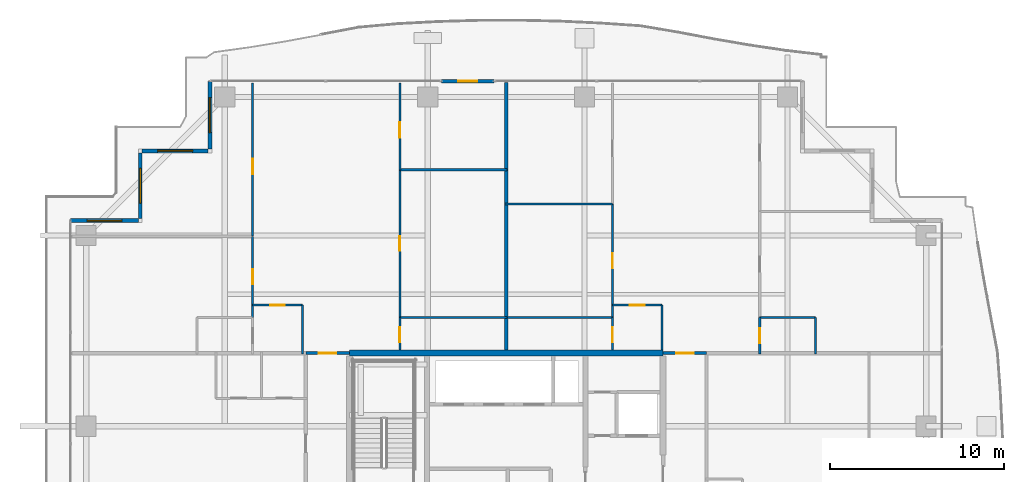
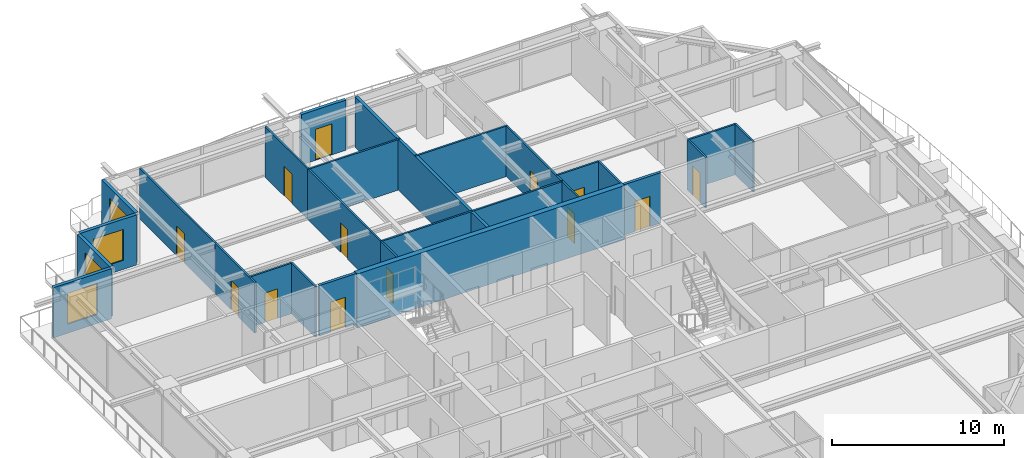
# One storey, part 29 of 37: 27 walls, 13 doors, 4 windows, 17 openings.
"""IFC4 building model written with IfcOpenShell, lengths in metres."""

from ifc_helpers import new_model, si_unit, direction, frame, frame_2d, origin, place, context, subcontext, project, spatial, rectangle, extrude, source, transform, mapped, material, layer, layer_set, type_object, element, fill, save


model = new_model("IFC4")

# Units and contexts
model_context = context("Model", 3, precision=1e-05, world=origin(), true_north=direction((0.0, 1.0)))
body_context = subcontext(model_context, "Body", "Model", "MODEL_VIEW")
ifc_project = project(units=[si_unit("LENGTHUNIT", "METRE"), si_unit("AREAUNIT", "SQUARE_METRE"), si_unit("VOLUMEUNIT", "CUBIC_METRE"), si_unit("PLANEANGLEUNIT", "RADIAN"), si_unit("MASSUNIT", "GRAM", prefix="KILO")], contexts=[model_context])

# Site, building, storey
site_placement = place(None, origin())
site = spatial("IfcSite", under=ifc_project, at=site_placement, CompositionType="ELEMENT")
building_placement = place(site_placement, origin())
building = spatial("IfcBuilding", under=site, at=building_placement, Name="Serunith Strait Residences", CompositionType="ELEMENT")
storey_placement = place(building_placement, frame((0.0, 0.0, 233.550048828125)))
storey = spatial("IfcBuildingStorey", under=building, at=storey_placement, Name="L58", CompositionType="ELEMENT", Elevation=233.550048828125)

# Wall, opening, door
ifc_material_1 = material(Name="Pale-Champagne Aluminium Insulated Panel", Category="aluminium")
ifc_layer_1 = layer(ifc_material_1, 0.219970703125, Name="Pale-Champagne Aluminium Insulated Panel")
ifc_layer_set_1 = layer_set([ifc_layer_1], Name="Pale-Champagne Aluminium Insulated Panel")
wall_type_1 = type_object("IfcWallType", Name="EW-ALUM-220", PredefinedType="ELEMENTEDWALL", material=ifc_layer_set_1)
wall_1_placement = place(storey_placement, frame((31.699951171875, 49.199951171875, 0.0), z_axis=(0.0, 0.0, 1.0), x_axis=(-1.0, 0.0, 0.0)))
wall_1 = element("IfcWall", 1, at=wall_1_placement, inside=storey, type_object=wall_type_1, Name="L58 N Facade Pier Wall", PredefinedType="ELEMENTEDWALL", context=body_context, shape_type="SweptSolid", body=[
    extrude(rectangle(XDim=3.0, YDim=0.219970703125, at=frame_2d((1.5, 0.0))), origin(), (0.0, 0.0, 1.0), 3.574951171875),
])
opening_1_placement = place(wall_1_placement, frame((0.949951171875, 0.0, 0.0)))
opening_1 = element("IfcOpeningElement", 2, at=opening_1_placement, cuts=wall_1, Name="Opening ED-03", PredefinedType="OPENING", context=body_context, shape_type="SweptSolid", body=[
    extrude(rectangle(XDim=1.10009765625, YDim=2.199951171875, at=frame_2d((0.550048828125, 1.10009765625))), frame((0.0, 0.1201171875, 0.0), z_axis=(0.0, -1.0, 0.0), x_axis=(1.0, 0.0, 0.0)), (0.0, 0.0, 1.0), 0.239990234375),
])
ifc_material_2 = material(Name="Thermally-Broken Aluminium Glazed Balcony Door", Category="aluminium")
door_type_1 = type_object("IfcDoorType", Name="ED-BALC-1100", OperationType="NOTDEFINED", PredefinedType="DOOR", material=ifc_material_2)
shared_shape_1 = source(origin(), body_context, "Body", "SweptSolid", [
    extrude(rectangle(XDim=1.10009765625, YDim=2.199951171875, at=frame_2d((0.550048828125, 1.10009765625))), frame((0.0, 0.02490234375, 0.0), z_axis=(0.0, -1.0, 0.0), x_axis=(1.0, 0.0, 0.0)), (0.0, 0.0, 1.0), 0.050048828125),
])
door_1_placement = place(opening_1_placement, origin())
door_1 = element("IfcDoor", 3, at=door_1_placement, inside=storey, type_object=door_type_1, Name="L58 N Vertical-Forest Balcony Door", OperationType="SINGLE_SWING_RIGHT", OverallHeight=2.199951171875, OverallWidth=1.10009765625, PredefinedType="DOOR", context=body_context, shape_type="MappedRepresentation", body=[
    mapped(shared_shape_1, transform((0.0, 0.0, 0.0), scale=1.0)),
])
fill(opening_1, door_1)

# Wall, opening, window
wall_2_placement = place(storey_placement, frame((15.39990234375, 49.199951171875, 0.0), z_axis=(0.0, 0.0, 1.0), x_axis=(0.0, -1.0, 0.0)))
wall_2 = element("IfcWall", 4, at=wall_2_placement, inside=storey, type_object=wall_type_1, Name="L58 Girih Serrated Corner Wall 12", PredefinedType="ELEMENTEDWALL", context=body_context, shape_type="SweptSolid", body=[
    extrude(rectangle(XDim=3.889892578125, YDim=0.219970703125, at=frame_2d((1.94482421875, 0.0))), origin(), (0.0, 0.0, 1.0), 3.574951171875),
])
opening_2_placement = place(wall_2_placement, frame((0.945068359375, 0.0, 0.64990234375)))
opening_2 = element("IfcOpeningElement", 5, at=opening_2_placement, cuts=wall_2, Name="Opening W-04", PredefinedType="OPENING", context=body_context, shape_type="SweptSolid", body=[
    extrude(rectangle(XDim=2.0, YDim=2.199951171875, at=frame_2d((1.0, 1.10009765625))), frame((0.0, 0.1201171875, 0.0), z_axis=(0.0, -1.0, 0.0), x_axis=(1.0, 0.0, 0.0)), (0.0, 0.0, 1.0), 0.239990234375),
])
ifc_material_3 = material(Name="Ceramic-Fritted Operable Aluminium Window Glass", Category="aluminium")
window_type = type_object("IfcWindowType", Name="WIN-C4", PartitioningType="TRIPLE_PANEL_VERTICAL", PredefinedType="WINDOW", material=ifc_material_3)
shared_shape_2 = source(origin(), body_context, "Body", "SweptSolid", [
    extrude(rectangle(XDim=2.0, YDim=2.199951171875, at=frame_2d((1.0, 1.10009765625))), frame((0.0, 0.030029296875, 0.0), z_axis=(0.0, -1.0, 0.0), x_axis=(1.0, 0.0, 0.0)), (0.0, 0.0, 1.0), 0.06005859375),
])
window_1_placement = place(opening_2_placement, origin())
window_1 = element("IfcWindow", 6, at=window_1_placement, inside=storey, type_object=window_type, Name="L58 Corner Operable Fritted Window 12", OverallHeight=2.199951171875, OverallWidth=2.0, PartitioningType="SINGLE_PANEL", PredefinedType="WINDOW", context=body_context, shape_type="MappedRepresentation", body=[
    mapped(shared_shape_2, transform((0.0, 0.0, 0.0), scale=1.0)),
])
fill(opening_2, window_1)

wall_3_placement = place(storey_placement, frame((15.2900390625, 45.199951171875, 0.0), z_axis=(0.0, 0.0, 1.0), x_axis=(-1.0, 0.0, 0.0)))
wall_3 = element("IfcWall", 7, at=wall_3_placement, inside=storey, type_object=wall_type_1, Name="L58 Girih Serrated Corner Wall 13", PredefinedType="ELEMENTEDWALL", context=body_context, shape_type="SweptSolid", body=[
    extrude(rectangle(XDim=3.780029296875, YDim=0.219970703125, at=frame_2d((1.89013671875, 0.0))), origin(), (0.0, 0.0, 1.0), 3.574951171875),
])
opening_3_placement = place(wall_3_placement, frame((0.889892578125, 0.0, 0.64990234375)))
opening_3 = element("IfcOpeningElement", 8, at=opening_3_placement, cuts=wall_3, Name="Opening W-04", PredefinedType="OPENING", context=body_context, shape_type="SweptSolid", body=[
    extrude(rectangle(XDim=2.0, YDim=2.199951171875, at=frame_2d((1.0, 1.10009765625))), frame((0.0, 0.1201171875, 0.0), z_axis=(0.0, -1.0, 0.0), x_axis=(1.0, 0.0, 0.0)), (0.0, 0.0, 1.0), 0.239990234375),
])
window_2_placement = place(opening_3_placement, origin())
window_2 = element("IfcWindow", 9, at=window_2_placement, inside=storey, type_object=window_type, Name="L58 Corner Operable Fritted Window 13", OverallHeight=2.199951171875, OverallWidth=2.0, PartitioningType="SINGLE_PANEL", PredefinedType="WINDOW", context=body_context, shape_type="MappedRepresentation", body=[
    mapped(shared_shape_2, transform((0.0, 0.0, 0.0), scale=1.0)),
])
fill(opening_3, window_2)

wall_4_placement = place(storey_placement, frame((11.39990234375, 45.090087890625, 0.0), z_axis=(0.0, 0.0, 1.0), x_axis=(0.0, -1.0, 0.0)))
wall_4 = element("IfcWall", 10, at=wall_4_placement, inside=storey, type_object=wall_type_1, Name="L58 Girih Serrated Corner Wall 14", PredefinedType="ELEMENTEDWALL", context=body_context, shape_type="SweptSolid", body=[
    extrude(rectangle(XDim=3.780029296875, YDim=0.219970703125, at=frame_2d((1.89013671875, 0.0))), origin(), (0.0, 0.0, 1.0), 3.574951171875),
])
opening_4_placement = place(wall_4_placement, frame((0.889892578125, 0.0, 0.64990234375)))
opening_4 = element("IfcOpeningElement", 11, at=opening_4_placement, cuts=wall_4, Name="Opening W-04", PredefinedType="OPENING", context=body_context, shape_type="SweptSolid", body=[
    extrude(rectangle(XDim=2.0, YDim=2.199951171875, at=frame_2d((1.0, 1.10009765625))), frame((0.0, 0.1201171875, 0.0), z_axis=(0.0, -1.0, 0.0), x_axis=(1.0, 0.0, 0.0)), (0.0, 0.0, 1.0), 0.239990234375),
])
window_3_placement = place(opening_4_placement, origin())
window_3 = element("IfcWindow", 12, at=window_3_placement, inside=storey, type_object=window_type, Name="L58 Corner Operable Fritted Window 14", OverallHeight=2.199951171875, OverallWidth=2.0, PartitioningType="SINGLE_PANEL", PredefinedType="WINDOW", context=body_context, shape_type="MappedRepresentation", body=[
    mapped(shared_shape_2, transform((0.0, 0.0, 0.0), scale=1.0)),
])
fill(opening_4, window_3)

wall_5_placement = place(storey_placement, frame((11.2900390625, 41.199951171875, 0.0), z_axis=(0.0, 0.0, 1.0), x_axis=(-1.0, 0.0, 0.0)))
wall_5 = element("IfcWall", 13, at=wall_5_placement, inside=storey, type_object=wall_type_1, Name="L58 Girih Serrated Corner Wall 15", PredefinedType="ELEMENTEDWALL", context=body_context, shape_type="SweptSolid", body=[
    extrude(rectangle(XDim=3.89013671875, YDim=0.219970703125, at=frame_2d((1.945068359375, 0.0))), origin(), (0.0, 0.0, 1.0), 3.574951171875),
])
opening_5_placement = place(wall_5_placement, frame((0.945068359375, 0.0, 0.64990234375)))
opening_5 = element("IfcOpeningElement", 14, at=opening_5_placement, cuts=wall_5, Name="Opening W-04", PredefinedType="OPENING", context=body_context, shape_type="SweptSolid", body=[
    extrude(rectangle(XDim=2.0, YDim=2.199951171875, at=frame_2d((1.0, 1.10009765625))), frame((0.0, 0.1201171875, 0.0), z_axis=(0.0, -1.0, 0.0), x_axis=(1.0, 0.0, 0.0)), (0.0, 0.0, 1.0), 0.239990234375),
])
window_4_placement = place(opening_5_placement, origin())
window_4 = element("IfcWindow", 15, at=window_4_placement, inside=storey, type_object=window_type, Name="L58 Corner Operable Fritted Window 15", OverallHeight=2.199951171875, OverallWidth=2.0, PartitioningType="SINGLE_PANEL", PredefinedType="WINDOW", context=body_context, shape_type="MappedRepresentation", body=[
    mapped(shared_shape_2, transform((0.0, 0.0, 0.0), scale=1.0)),
])
fill(opening_5, window_4)

# Wall, opening, door
ifc_material_4 = material(Name="Fire-rated acoustic gypsum partition")
ifc_layer_2 = layer(ifc_material_4, 0.179931640625, Name="Fire-rated acoustic gypsum partition")
ifc_layer_set_2 = layer_set([ifc_layer_2], Name="Fire-rated acoustic gypsum partition")
wall_type_2 = type_object("IfcWallType", Name="IW-CORR-180", PredefinedType="PARTITIONING", material=ifc_layer_set_2)
wall_6_placement = place(storey_placement, frame((20.902099609375, 33.60009765625, 0.0), z_axis=(0.0, 0.0, 1.0), x_axis=(1.0, 0.0, 0.0)))
wall_6 = element("IfcWall", 16, at=wall_6_placement, inside=storey, type_object=wall_type_2, Name="L58 Partition Wall 027", PredefinedType="PARTITIONING", context=body_context, shape_type="SweptSolid", body=[
    extrude(rectangle(XDim=2.495849609375, YDim=0.179931640625, at=frame_2d((1.248046875, 0.0))), origin(), (0.0, 0.0, 1.0), 3.58984375),
])
opening_6_placement = place(wall_6_placement, frame((0.748046875, 0.0, 0.0)))
opening_6 = element("IfcOpeningElement", 17, at=opening_6_placement, cuts=wall_6, Name="Opening D-APT1000", PredefinedType="OPENING", context=body_context, shape_type="SweptSolid", body=[
    extrude(rectangle(XDim=1.0, YDim=2.14990234375, at=frame_2d((0.5, 1.074951171875))), frame((0.0, 0.10009765625, 0.0), z_axis=(0.0, -1.0, 0.0), x_axis=(1.0, 0.0, 0.0)), (0.0, 0.0, 1.0), 0.199951171875),
])
ifc_material_5 = material(Name="Solid timber engineered fire door", Category="wood")
door_type_2 = type_object("IfcDoorType", Name="ID-APT-1000", OperationType="NOTDEFINED", PredefinedType="DOOR", material=ifc_material_5)
shared_shape_3 = source(origin(), body_context, "Body", "SweptSolid", [
    extrude(rectangle(XDim=1.0, YDim=2.14990234375, at=frame_2d((0.5, 1.074951171875))), frame((0.0, 0.02490234375, 0.0), z_axis=(0.0, -1.0, 0.0), x_axis=(1.0, 0.0, 0.0)), (0.0, 0.0, 1.0), 0.050048828125),
])
door_2_placement = place(opening_6_placement, origin())
door_2 = element("IfcDoor", 18, at=door_2_placement, inside=storey, type_object=door_type_2, Name="L58 Unit 02 Entrance Door", OperationType="SINGLE_SWING_LEFT", OverallHeight=2.14990234375, OverallWidth=1.0, PredefinedType="DOOR", context=body_context, shape_type="MappedRepresentation", body=[
    mapped(shared_shape_3, transform((0.0, 0.0, 0.0), scale=1.0)),
])
fill(opening_6, door_2)

wall_7_placement = place(storey_placement, frame((41.402099609375, 33.60009765625, 0.0), z_axis=(0.0, 0.0, 1.0), x_axis=(1.0, 0.0, 0.0)))
wall_7 = element("IfcWall", 19, at=wall_7_placement, inside=storey, type_object=wall_type_2, Name="L58 Partition Wall 030", PredefinedType="PARTITIONING", context=body_context, shape_type="SweptSolid", body=[
    extrude(rectangle(XDim=2.495849609375, YDim=0.179931640625, at=frame_2d((1.248046875, 0.0))), origin(), (0.0, 0.0, 1.0), 3.58984375),
])
opening_7_placement = place(wall_7_placement, frame((0.748046875, 0.0, 0.0)))
opening_7 = element("IfcOpeningElement", 20, at=opening_7_placement, cuts=wall_7, Name="Opening D-APT1000", PredefinedType="OPENING", context=body_context, shape_type="SweptSolid", body=[
    extrude(rectangle(XDim=1.0, YDim=2.14990234375, at=frame_2d((0.5, 1.074951171875))), frame((0.0, 0.10009765625, 0.0), z_axis=(0.0, -1.0, 0.0), x_axis=(1.0, 0.0, 0.0)), (0.0, 0.0, 1.0), 0.199951171875),
])
door_3_placement = place(opening_7_placement, origin())
door_3 = element("IfcDoor", 21, at=door_3_placement, inside=storey, type_object=door_type_2, Name="L58 Unit 03 Entrance Door", OperationType="SINGLE_SWING_RIGHT", OverallHeight=2.14990234375, OverallWidth=1.0, PredefinedType="DOOR", context=body_context, shape_type="MappedRepresentation", body=[
    mapped(shared_shape_3, transform((0.0, 0.0, 0.0), scale=1.0)),
])
fill(opening_7, door_3)

ifc_material_6 = material(Name="Lightweight steel-stud gypsum partition", Category="steel")
ifc_layer_3 = layer(ifc_material_6, 0.1201171875, Name="Lightweight steel-stud gypsum partition")
ifc_layer_set_3 = layer_set([ifc_layer_3], Name="Lightweight steel-stud gypsum partition")
wall_type_3 = type_object("IfcWallType", Name="IW-PART-120", PredefinedType="PARTITIONING", material=ifc_layer_set_3)
wall_8_placement = place(storey_placement, frame((17.85009765625, 36.35009765625, 0.0), z_axis=(0.0, 0.0, 1.0), x_axis=(1.0, 0.0, 0.0)))
wall_8 = element("IfcWall", 22, at=wall_8_placement, inside=storey, type_object=wall_type_3, Name="L58 Partition Wall 055", PredefinedType="PARTITIONING", context=body_context, shape_type="SweptSolid", body=[
    extrude(rectangle(XDim=2.849853515625, YDim=0.1201171875, at=frame_2d((1.4248046875, 0.0))), origin(), (0.0, 0.0, 1.0), 3.58984375),
])
opening_8_placement = place(wall_8_placement, frame((1.0, 0.0, 0.0)))
opening_8 = element("IfcOpeningElement", 23, at=opening_8_placement, cuts=wall_8, Name="Opening D-RM850", PredefinedType="OPENING", context=body_context, shape_type="SweptSolid", body=[
    extrude(rectangle(XDim=0.85009765625, YDim=2.10009765625, at=frame_2d((0.425048828125, 1.050048828125))), frame((0.0, 0.070068359375, 0.0), z_axis=(0.0, -1.0, 0.0), x_axis=(1.0, 0.0, 0.0)), (0.0, 0.0, 1.0), 0.14013671875),
])
ifc_material_7 = material(Name="Engineered timber flush study and kitchen door", Category="wood")
door_type_3 = type_object("IfcDoorType", Name="ID-ROOM-850", OperationType="NOTDEFINED", PredefinedType="DOOR", material=ifc_material_7)
shared_shape_4 = source(origin(), body_context, "Body", "SweptSolid", [
    extrude(rectangle(XDim=0.85009765625, YDim=2.10009765625, at=frame_2d((0.425048828125, 1.050048828125))), frame((0.0, 0.02490234375, 0.0), z_axis=(0.0, -1.0, 0.0), x_axis=(1.0, 0.0, 0.0)), (0.0, 0.0, 1.0), 0.050048828125),
])
door_4_placement = place(opening_8_placement, origin())
door_4 = element("IfcDoor", 24, at=door_4_placement, inside=storey, type_object=door_type_3, Name="L58 Kitchen 5802 Door", OperationType="SINGLE_SWING_LEFT", OverallHeight=2.10009765625, OverallWidth=0.85009765625, PredefinedType="DOOR", context=body_context, shape_type="MappedRepresentation", body=[
    mapped(shared_shape_4, transform((0.0, 0.0, 0.0), scale=1.0)),
])
fill(opening_8, door_4)

# Wall
wall_9_placement = place(storey_placement, frame((20.699951171875, 36.35009765625, 0.0), z_axis=(0.0, 0.0, 1.0), x_axis=(0.0, -1.0, 0.0)))
element("IfcWall", 25, at=wall_9_placement, inside=storey, type_object=wall_type_3, Name="L58 Partition Wall 056", PredefinedType="PARTITIONING", context=body_context, shape_type="SweptSolid", body=[
    extrude(rectangle(XDim=2.81005859375, YDim=0.1201171875, at=frame_2d((1.405029296875, 0.0))), origin(), (0.0, 0.0, 1.0), 3.58984375),
])

# Wall, opening, door
wall_10_placement = place(storey_placement, frame((17.85009765625, 49.10498046875, 0.0), z_axis=(0.0, 0.0, 1.0), x_axis=(0.0, -1.0, 0.0)))
wall_10 = element("IfcWall", 26, at=wall_10_placement, inside=storey, type_object=wall_type_3, Name="L58 Partition Wall 057", PredefinedType="PARTITIONING", context=body_context, shape_type="SweptSolid", body=[
    extrude(rectangle(XDim=8.799072265625, YDim=0.1201171875, at=frame_2d((4.3994140625, 0.0))), origin(), (0.0, 0.0, 1.0), 3.58984375),
])
opening_9_placement = place(wall_10_placement, frame((4.343994140625, 0.0, 0.0)))
opening_9 = element("IfcOpeningElement", 27, at=opening_9_placement, cuts=wall_10, Name="Opening D-RM900", PredefinedType="OPENING", context=body_context, shape_type="SweptSolid", body=[
    extrude(rectangle(XDim=0.89990234375, YDim=2.10009765625, at=frame_2d((0.449951171875, 1.050048828125))), frame((0.0, 0.070068359375, 0.0), z_axis=(0.0, -1.0, 0.0), x_axis=(1.0, 0.0, 0.0)), (0.0, 0.0, 1.0), 0.14013671875),
])
ifc_material_8 = material(Name="Engineered timber flush bedroom door", Category="wood")
door_type_4 = type_object("IfcDoorType", Name="ID-ROOM-900", OperationType="NOTDEFINED", PredefinedType="DOOR", material=ifc_material_8)
shared_shape_5 = source(origin(), body_context, "Body", "SweptSolid", [
    extrude(rectangle(XDim=0.89990234375, YDim=2.10009765625, at=frame_2d((0.449951171875, 1.050048828125))), frame((0.0, 0.02490234375, 0.0), z_axis=(0.0, -1.0, 0.0), x_axis=(1.0, 0.0, 0.0)), (0.0, 0.0, 1.0), 0.050048828125),
])
door_5_placement = place(opening_9_placement, origin())
door_5 = element("IfcDoor", 28, at=door_5_placement, inside=storey, type_object=door_type_4, Name="L58 Master Bedroom 1 5802 Door", OperationType="SINGLE_SWING_RIGHT", OverallHeight=2.10009765625, OverallWidth=0.89990234375, PredefinedType="DOOR", context=body_context, shape_type="MappedRepresentation", body=[
    mapped(shared_shape_5, transform((0.0, 0.0, 0.0), scale=1.0)),
])
fill(opening_9, door_5)

wall_11_placement = place(storey_placement, frame((17.85009765625, 40.303955078125, 0.0), z_axis=(0.0, 0.0, 1.0), x_axis=(0.0, -1.0, 0.0)))
wall_11 = element("IfcWall", 29, at=wall_11_placement, inside=storey, type_object=wall_type_3, Name="L58 Partition Wall 061", PredefinedType="PARTITIONING", context=body_context, shape_type="SweptSolid", body=[
    extrude(rectangle(XDim=4.654052734375, YDim=0.1201171875, at=frame_2d((2.3271484375, 0.0))), origin(), (0.0, 0.0, 1.0), 3.58984375),
])
opening_10_placement = place(wall_11_placement, frame((1.902099609375, 0.0, 0.0)))
opening_10 = element("IfcOpeningElement", 30, at=opening_10_placement, cuts=wall_11, Name="Opening D-RM850", PredefinedType="OPENING", context=body_context, shape_type="SweptSolid", body=[
    extrude(rectangle(XDim=0.85009765625, YDim=2.10009765625, at=frame_2d((0.425048828125, 1.050048828125))), frame((0.0, 0.070068359375, 0.0), z_axis=(0.0, -1.0, 0.0), x_axis=(1.0, 0.0, 0.0)), (0.0, 0.0, 1.0), 0.14013671875),
])
door_6_placement = place(opening_10_placement, origin())
door_6 = element("IfcDoor", 31, at=door_6_placement, inside=storey, type_object=door_type_3, Name="L58 Walk-in Wardrobe 5802 Door", OperationType="SINGLE_SWING_LEFT", OverallHeight=2.10009765625, OverallWidth=0.85009765625, PredefinedType="DOOR", context=body_context, shape_type="MappedRepresentation", body=[
    mapped(shared_shape_4, transform((0.0, 0.0, 0.0), scale=1.0)),
])
fill(opening_10, door_6)

wall_12_placement = place(storey_placement, frame((26.300048828125, 49.10498046875, 0.0), z_axis=(0.0, 0.0, 1.0), x_axis=(0.0, -1.0, 0.0)))
wall_12 = element("IfcWall", 32, at=wall_12_placement, inside=storey, type_object=wall_type_3, Name="L58 Partition Wall 063", PredefinedType="PARTITIONING", context=body_context, shape_type="SweptSolid", body=[
    extrude(rectangle(XDim=4.98486328125, YDim=0.1201171875, at=frame_2d((2.492431640625, 0.0))), origin(), (0.0, 0.0, 1.0), 3.58984375),
])
opening_11_placement = place(wall_12_placement, frame((2.2470703125, 0.0, 0.0)))
opening_11 = element("IfcOpeningElement", 33, at=opening_11_placement, cuts=wall_12, Name="Opening D-RM900", PredefinedType="OPENING", context=body_context, shape_type="SweptSolid", body=[
    extrude(rectangle(XDim=0.89990234375, YDim=2.10009765625, at=frame_2d((0.449951171875, 1.050048828125))), frame((0.0, 0.070068359375, 0.0), z_axis=(0.0, -1.0, 0.0), x_axis=(1.0, 0.0, 0.0)), (0.0, 0.0, 1.0), 0.14013671875),
])
door_7_placement = place(opening_11_placement, origin())
door_7 = element("IfcDoor", 34, at=door_7_placement, inside=storey, type_object=door_type_4, Name="L58 Bedroom 2 5802 Door", OperationType="SINGLE_SWING_LEFT", OverallHeight=2.10009765625, OverallWidth=0.89990234375, PredefinedType="DOOR", context=body_context, shape_type="MappedRepresentation", body=[
    mapped(shared_shape_5, transform((0.0, 0.0, 0.0), scale=1.0)),
])
fill(opening_11, door_7)

# Walls
for number, where, z_axis, x_axis, name in (
    (35, (26.300048828125, 44.1201171875, 0.0), (0.0, 0.0, 1.0), (1.0, 0.0, 0.0), "L58 Partition Wall 064"),
    (36, (26.300048828125, 35.64990234375, 0.0), (0.0, 0.0, 1.0), (1.0, 0.0, 0.0), "L58 Partition Wall 065"),
):
    element("IfcWall", number, at=place(storey_placement, frame(where, z_axis=z_axis, x_axis=x_axis)), inside=storey, type_object=wall_type_3, Name=name, PredefinedType="PARTITIONING", context=body_context, shape_type="SweptSolid", body=[
        extrude(rectangle(XDim=6.159912109375, YDim=0.1201171875, at=frame_2d((3.080078125, 0.0))), origin(), (0.0, 0.0, 1.0), 3.58984375),
    ])

# Wall, opening, door
wall_13_placement = place(storey_placement, frame((26.300048828125, 44.117919921875, 0.0), z_axis=(0.0, 0.0, 1.0), x_axis=(0.0, -1.0, 0.0)))
wall_13 = element("IfcWall", 37, at=wall_13_placement, inside=storey, type_object=wall_type_3, Name="L58 Partition Wall 066", PredefinedType="PARTITIONING", context=body_context, shape_type="SweptSolid", body=[
    extrude(rectangle(XDim=8.468017578125, YDim=0.1201171875, at=frame_2d((4.23388671875, 0.0))), origin(), (0.0, 0.0, 1.0), 3.58984375),
])
opening_12_placement = place(wall_13_placement, frame((3.80908203125, 0.0, 0.0)))
opening_12 = element("IfcOpeningElement", 38, at=opening_12_placement, cuts=wall_13, Name="Opening D-RM850", PredefinedType="OPENING", context=body_context, shape_type="SweptSolid", body=[
    extrude(rectangle(XDim=0.85009765625, YDim=2.10009765625, at=frame_2d((0.425048828125, 1.050048828125))), frame((0.0, 0.070068359375, 0.0), z_axis=(0.0, -1.0, 0.0), x_axis=(1.0, 0.0, 0.0)), (0.0, 0.0, 1.0), 0.14013671875),
])
door_8_placement = place(opening_12_placement, origin())
door_8 = element("IfcDoor", 39, at=door_8_placement, inside=storey, type_object=door_type_3, Name="L58 Walk-in Wardrobe 5802 Door", OperationType="SINGLE_SWING_RIGHT", OverallHeight=2.10009765625, OverallWidth=0.85009765625, PredefinedType="DOOR", context=body_context, shape_type="MappedRepresentation", body=[
    mapped(shared_shape_4, transform((0.0, 0.0, 0.0), scale=1.0)),
])
fill(opening_12, door_8)

wall_14_placement = place(storey_placement, frame((26.300048828125, 35.64794921875, 0.0), z_axis=(0.0, 0.0, 1.0), x_axis=(0.0, -1.0, 0.0)))
wall_14 = element("IfcWall", 40, at=wall_14_placement, inside=storey, type_object=wall_type_3, Name="L58 Partition Wall 067", PredefinedType="PARTITIONING", context=body_context, shape_type="SweptSolid", body=[
    extrude(rectangle(XDim=1.873046875, YDim=0.1201171875, at=frame_2d((0.9365234375, 0.0))), origin(), (0.0, 0.0, 1.0), 3.58984375),
])
opening_13_placement = place(wall_14_placement, frame((0.574951171875, 0.0, 0.0)))
opening_13 = element("IfcOpeningElement", 41, at=opening_13_placement, cuts=wall_14, Name="Opening D-BTH850", PredefinedType="OPENING", context=body_context, shape_type="SweptSolid", body=[
    extrude(rectangle(XDim=0.85009765625, YDim=2.10009765625, at=frame_2d((0.425048828125, 1.050048828125))), frame((0.0, 0.070068359375, 0.0), z_axis=(0.0, -1.0, 0.0), x_axis=(1.0, 0.0, 0.0)), (0.0, 0.0, 1.0), 0.14013671875),
])
ifc_material_9 = material(Name="Moisture-resistant timber bathroom door", Category="wood")
door_type_5 = type_object("IfcDoorType", Name="ID-BATH-850", OperationType="NOTDEFINED", PredefinedType="DOOR", material=ifc_material_9)
door_9_placement = place(opening_13_placement, origin())
door_9 = element("IfcDoor", 42, at=door_9_placement, inside=storey, type_object=door_type_5, Name="L58 Bathroom 5802 Door", OperationType="SINGLE_SWING_LEFT", OverallHeight=2.10009765625, OverallWidth=0.85009765625, PredefinedType="DOOR", context=body_context, shape_type="MappedRepresentation", body=[
    mapped(shared_shape_4, transform((0.0, 0.0, 0.0), scale=1.0)),
])
fill(opening_13, door_9)

wall_15_placement = place(storey_placement, frame((38.5, 36.35009765625, 0.0), z_axis=(0.0, 0.0, 1.0), x_axis=(1.0, 0.0, 0.0)))
wall_15 = element("IfcWall", 43, at=wall_15_placement, inside=storey, type_object=wall_type_3, Name="L58 Partition Wall 068", PredefinedType="PARTITIONING", context=body_context, shape_type="SweptSolid", body=[
    extrude(rectangle(XDim=2.85009765625, YDim=0.1201171875, at=frame_2d((1.425048828125, 0.0))), origin(), (0.0, 0.0, 1.0), 3.58984375),
])
opening_14_placement = place(wall_15_placement, frame((1.0, 0.0, 0.0)))
opening_14 = element("IfcOpeningElement", 44, at=opening_14_placement, cuts=wall_15, Name="Opening D-RM850", PredefinedType="OPENING", context=body_context, shape_type="SweptSolid", body=[
    extrude(rectangle(XDim=0.85009765625, YDim=2.10009765625, at=frame_2d((0.425048828125, 1.050048828125))), frame((0.0, 0.070068359375, 0.0), z_axis=(0.0, -1.0, 0.0), x_axis=(1.0, 0.0, 0.0)), (0.0, 0.0, 1.0), 0.14013671875),
])
door_10_placement = place(opening_14_placement, origin())
door_10 = element("IfcDoor", 45, at=door_10_placement, inside=storey, type_object=door_type_3, Name="L58 Kitchen 5803 Door", OperationType="SINGLE_SWING_RIGHT", OverallHeight=2.10009765625, OverallWidth=0.85009765625, PredefinedType="DOOR", context=body_context, shape_type="MappedRepresentation", body=[
    mapped(shared_shape_4, transform((0.0, 0.0, 0.0), scale=1.0)),
])
fill(opening_14, door_10)

# Walls
wall_16_placement = place(storey_placement, frame((41.35009765625, 36.35009765625, 0.0), z_axis=(0.0, 0.0, 1.0), x_axis=(0.0, -1.0, 0.0)))
element("IfcWall", 46, at=wall_16_placement, inside=storey, type_object=wall_type_3, Name="L58 Partition Wall 069", PredefinedType="PARTITIONING", context=body_context, shape_type="SweptSolid", body=[
    extrude(rectangle(XDim=2.5751953125, YDim=0.1201171875, at=frame_2d((1.28759765625, 0.0))), origin(), (0.0, 0.0, 1.0), 3.58984375),
])
wall_17_placement = place(storey_placement, frame((32.340087890625, 42.162109375, 0.0), z_axis=(0.0, 0.0, 1.0), x_axis=(1.0, 0.0, 0.0)))
element("IfcWall", 47, at=wall_17_placement, inside=storey, type_object=wall_type_3, Name="L58 Partition Wall 071", PredefinedType="PARTITIONING", context=body_context, shape_type="SweptSolid", body=[
    extrude(rectangle(XDim=6.159912109375, YDim=0.1201171875, at=frame_2d((3.080078125, 0.0))), origin(), (0.0, 0.0, 1.0), 3.58984375),
])
wall_18_placement = place(storey_placement, frame((32.4619140625, 35.64990234375, 0.0), z_axis=(0.0, 0.0, 1.0), x_axis=(1.0, 0.0, 0.0)))
element("IfcWall", 48, at=wall_18_placement, inside=storey, type_object=wall_type_3, Name="L58 Partition Wall 072", PredefinedType="PARTITIONING", context=body_context, shape_type="SweptSolid", body=[
    extrude(rectangle(XDim=6.0380859375, YDim=0.1201171875, at=frame_2d((3.01904296875, 0.0))), origin(), (0.0, 0.0, 1.0), 3.58984375),
])

# Wall, opening, door
wall_19_placement = place(storey_placement, frame((38.5, 42.159912109375, 0.0), z_axis=(0.0, 0.0, 1.0), x_axis=(0.0, -1.0, 0.0)))
wall_19 = element("IfcWall", 49, at=wall_19_placement, inside=storey, type_object=wall_type_3, Name="L58 Partition Wall 073", PredefinedType="PARTITIONING", context=body_context, shape_type="SweptSolid", body=[
    extrude(rectangle(XDim=6.510009765625, YDim=0.1201171875, at=frame_2d((3.2548828125, 0.0))), origin(), (0.0, 0.0, 1.0), 3.58984375),
])
opening_15_placement = place(wall_19_placement, frame((2.830078125, 0.0, 0.0)))
opening_15 = element("IfcOpeningElement", 50, at=opening_15_placement, cuts=wall_19, Name="Opening D-RM850", PredefinedType="OPENING", context=body_context, shape_type="SweptSolid", body=[
    extrude(rectangle(XDim=0.85009765625, YDim=2.10009765625, at=frame_2d((0.425048828125, 1.050048828125))), frame((0.0, 0.070068359375, 0.0), z_axis=(0.0, -1.0, 0.0), x_axis=(1.0, 0.0, 0.0)), (0.0, 0.0, 1.0), 0.14013671875),
])
door_11_placement = place(opening_15_placement, origin())
door_11 = element("IfcDoor", 51, at=door_11_placement, inside=storey, type_object=door_type_3, Name="L58 Walk-in Wardrobe 5803 Door", OperationType="SINGLE_SWING_RIGHT", OverallHeight=2.10009765625, OverallWidth=0.85009765625, PredefinedType="DOOR", context=body_context, shape_type="MappedRepresentation", body=[
    mapped(shared_shape_4, transform((0.0, 0.0, 0.0), scale=1.0)),
])
fill(opening_15, door_11)

wall_20_placement = place(storey_placement, frame((38.5, 35.64794921875, 0.0), z_axis=(0.0, 0.0, 1.0), x_axis=(0.0, -1.0, 0.0)))
wall_20 = element("IfcWall", 52, at=wall_20_placement, inside=storey, type_object=wall_type_3, Name="L58 Partition Wall 074", PredefinedType="PARTITIONING", context=body_context, shape_type="SweptSolid", body=[
    extrude(rectangle(XDim=1.873046875, YDim=0.1201171875, at=frame_2d((0.9365234375, 0.0))), origin(), (0.0, 0.0, 1.0), 3.58984375),
])
opening_16_placement = place(wall_20_placement, frame((0.574951171875, 0.0, 0.0)))
opening_16 = element("IfcOpeningElement", 53, at=opening_16_placement, cuts=wall_20, Name="Opening D-BTH850", PredefinedType="OPENING", context=body_context, shape_type="SweptSolid", body=[
    extrude(rectangle(XDim=0.85009765625, YDim=2.10009765625, at=frame_2d((0.425048828125, 1.050048828125))), frame((0.0, 0.070068359375, 0.0), z_axis=(0.0, -1.0, 0.0), x_axis=(1.0, 0.0, 0.0)), (0.0, 0.0, 1.0), 0.14013671875),
])
door_12_placement = place(opening_16_placement, origin())
door_12 = element("IfcDoor", 54, at=door_12_placement, inside=storey, type_object=door_type_5, Name="L58 Bathroom 5803 Door", OperationType="SINGLE_SWING_LEFT", OverallHeight=2.10009765625, OverallWidth=0.85009765625, PredefinedType="DOOR", context=body_context, shape_type="MappedRepresentation", body=[
    mapped(shared_shape_4, transform((0.0, 0.0, 0.0), scale=1.0)),
])
fill(opening_16, door_12)

# Walls
wall_21_placement = place(storey_placement, frame((46.949951171875, 35.64990234375, 0.0), z_axis=(0.0, 0.0, 1.0), x_axis=(1.0, 0.0, 0.0)))
element("IfcWall", 55, at=wall_21_placement, inside=storey, type_object=wall_type_3, Name="L58 Partition Wall 077", PredefinedType="PARTITIONING", context=body_context, shape_type="SweptSolid", body=[
    extrude(rectangle(XDim=3.199951171875, YDim=0.1201171875, at=frame_2d((1.60009765625, 0.0))), origin(), (0.0, 0.0, 1.0), 3.58984375),
])
wall_22_placement = place(storey_placement, frame((50.14990234375, 35.64990234375, 0.0), z_axis=(0.0, 0.0, 1.0), x_axis=(0.0, -1.0, 0.0)))
element("IfcWall", 56, at=wall_22_placement, inside=storey, type_object=wall_type_3, Name="L58 Partition Wall 078", PredefinedType="PARTITIONING", context=body_context, shape_type="SweptSolid", body=[
    extrude(rectangle(XDim=2.10986328125, YDim=0.1201171875, at=frame_2d((1.054931640625, 0.0))), origin(), (0.0, 0.0, 1.0), 3.58984375),
])

# Wall, opening, door
wall_23_placement = place(storey_placement, frame((46.949951171875, 35.64794921875, 0.0), z_axis=(0.0, 0.0, 1.0), x_axis=(0.0, -1.0, 0.0)))
wall_23 = element("IfcWall", 57, at=wall_23_placement, inside=storey, type_object=wall_type_3, Name="L58 Partition Wall 080", PredefinedType="PARTITIONING", context=body_context, shape_type="SweptSolid", body=[
    extrude(rectangle(XDim=2.10791015625, YDim=0.1201171875, at=frame_2d((1.053955078125, 0.0))), origin(), (0.0, 0.0, 1.0), 3.58984375),
])
opening_17_placement = place(wall_23_placement, frame((0.62890625, 0.0, 0.0)))
opening_17 = element("IfcOpeningElement", 58, at=opening_17_placement, cuts=wall_23, Name="Opening D-BTH850", PredefinedType="OPENING", context=body_context, shape_type="SweptSolid", body=[
    extrude(rectangle(XDim=0.85009765625, YDim=2.10009765625, at=frame_2d((0.425048828125, 1.050048828125))), frame((0.0, 0.070068359375, 0.0), z_axis=(0.0, -1.0, 0.0), x_axis=(1.0, 0.0, 0.0)), (0.0, 0.0, 1.0), 0.14013671875),
])
door_13_placement = place(opening_17_placement, origin())
door_13 = element("IfcDoor", 59, at=door_13_placement, inside=storey, type_object=door_type_5, Name="L58 Bathroom 5803 Door", OperationType="SINGLE_SWING_RIGHT", OverallHeight=2.10009765625, OverallWidth=0.85009765625, PredefinedType="DOOR", context=body_context, shape_type="MappedRepresentation", body=[
    mapped(shared_shape_4, transform((0.0, 0.0, 0.0), scale=1.0)),
])
fill(opening_17, door_13)

# Walls
ifc_material_10 = material(Name="Twin-stud acoustic gypsum board partition")
ifc_layer_4 = layer(ifc_material_10, 0.199951171875, Name="Twin-stud acoustic gypsum board partition")
ifc_layer_set_4 = layer_set([ifc_layer_4], Name="Twin-stud acoustic gypsum board partition")
wall_type_4 = type_object("IfcWallType", Name="IW-PARTY-200", PredefinedType="PARTITIONING", material=ifc_layer_set_4)
wall_24_placement = place(storey_placement, frame((32.39990234375, 33.77490234375, 0.0), z_axis=(0.0, 0.0, 1.0), x_axis=(0.0, 1.0, 0.0)))
element("IfcWall", 60, at=wall_24_placement, inside=storey, type_object=wall_type_4, Name="L58 Partition Wall 020", PredefinedType="PARTITIONING", context=body_context, shape_type="SweptSolid", body=[
    extrude(rectangle(XDim=15.343017578125, YDim=0.199951171875, at=frame_2d((7.67138671875, 0.0))), origin(), (0.0, 0.0, 1.0), 3.58984375),
])
ifc_material_11 = material(Name="Concrete C60/75", Category="concrete")
ifc_layer_5 = layer(ifc_material_11, 0.35009765625, Name="Concrete C60/75")
ifc_layer_set_5 = layer_set([ifc_layer_5], Name="Concrete C60/75")
wall_type_5 = type_object("IfcWallType", Name="SW-350-C60", PredefinedType="SHEAR", material=ifc_layer_set_5)
wall_25_placement = place(storey_placement, frame((41.39990234375, 33.60009765625, -0.260009765625), z_axis=(0.0, 0.0, 1.0), x_axis=(-1.0, 0.0, 0.0)))
element("IfcWall", 61, at=wall_25_placement, inside=storey, type_object=wall_type_5, Name="L58 Core North Shear Wall", PredefinedType="SHEAR", context=body_context, shape_type="SweptSolid", body=[
    extrude(rectangle(XDim=18.0, YDim=0.35009765625, at=frame_2d((9.0, 0.0))), origin(), (0.0, 0.0, 1.0), 3.847900390625),
])

save(model, "model.ifc")
